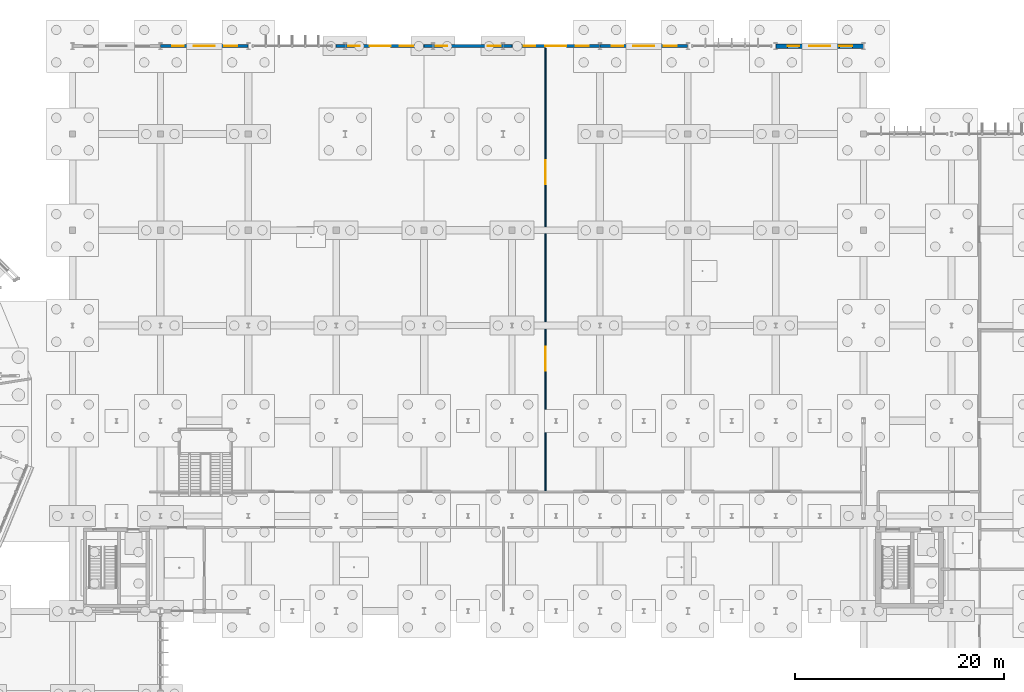
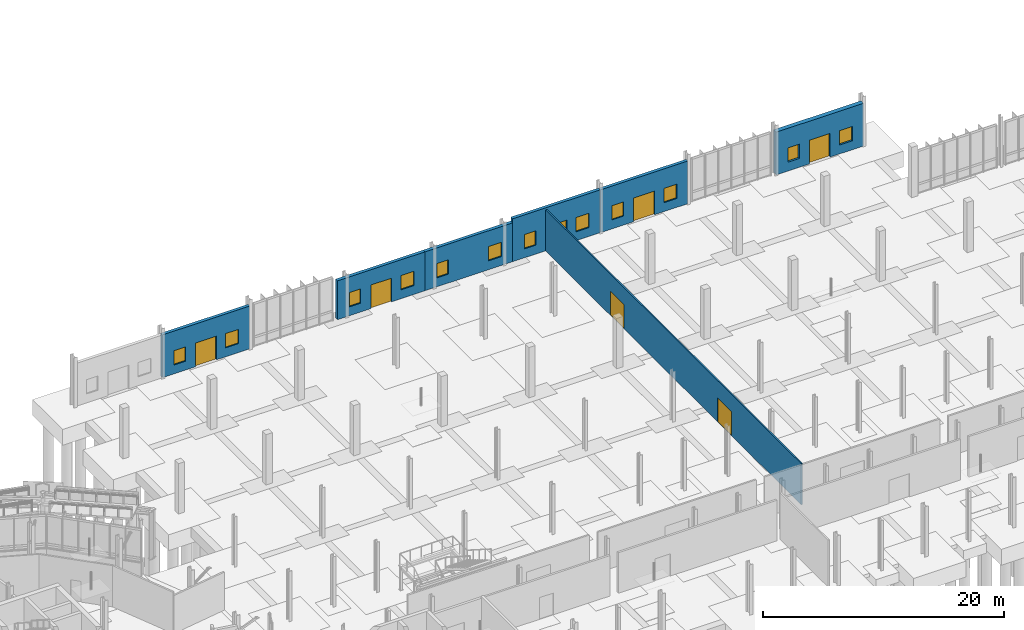
# One storey, part 86 of 119: 12 windows, 7 doors, 7 walls, 19 openings.
"""IFC4 building model written with IfcOpenShell, lengths in metres."""

from ifc_helpers import new_model, si_unit, derived_unit, direction, frame, frame_2d, origin, place, context, subcontext, project, spatial, rectangle, extrude, material, layer, layer_set, type_object, element, fill, save


model = new_model("IFC4")

# Units and contexts
model_context = context("Model", 3, precision=1e-05, world=origin(), true_north=direction((0.0, 1.0)))
body_context = subcontext(model_context, "Body", "Model", "MODEL_VIEW")
ifc_project = project(units=[si_unit("LENGTHUNIT", "METRE"), si_unit("AREAUNIT", "SQUARE_METRE"), si_unit("VOLUMEUNIT", "CUBIC_METRE"), si_unit("PLANEANGLEUNIT", "RADIAN"), si_unit("MASSUNIT", "GRAM", prefix="KILO"), derived_unit("THERMALTRANSMITTANCEUNIT", [(si_unit("MASSUNIT", "GRAM", prefix="KILO"), 1), (si_unit("TIMEUNIT", "SECOND"), -3), (si_unit("THERMODYNAMICTEMPERATUREUNIT", "KELVIN"), -1)])], contexts=[model_context])

# Site, building, storey
site_placement = place(None, origin())
site = spatial("IfcSite", under=ifc_project, at=site_placement, CompositionType="ELEMENT")
building_placement = place(site_placement, origin())
building = spatial("IfcBuilding", under=site, at=building_placement, Name="Makaiwela Harbour Ferry Terminal", CompositionType="ELEMENT")
storey_placement = place(building_placement, origin())
storey = spatial("IfcBuildingStorey", under=building, at=storey_placement, Name="L00", CompositionType="ELEMENT", Elevation=0.0)

# Wall, openings, door, windows
ifc_material_1 = material(Name="Precast concrete f'c 40 MPa (6000 psi) with Hawaiian basalt rainscreen", Category="masonry")
ifc_layer_1 = layer(ifc_material_1, 0.300048828125)
ifc_layer_set_1 = layer_set([ifc_layer_1], Name="Precast concrete f'c 40 MPa (6000 psi) with Hawaiian basalt rainscreen")
wall_type_1 = type_object("IfcWallType", Name="ENV-WL-EXT300", PredefinedType="SOLIDWALL", material=ifc_layer_set_1)
wall_1_placement = place(storey_placement, frame((71.4150390625, 103.39990234375, 0.0), z_axis=(0.0, 0.0, 1.0), x_axis=(1.0, 0.0, 0.0)))
wall_1 = element("IfcWall", 1, at=wall_1_placement, inside=storey, type_object=wall_type_1, Name="Exterior Wall EW-003", PredefinedType="SOLIDWALL", context=body_context, shape_type="SweptSolid", body=[
    extrude(rectangle(XDim=8.369873046875, YDim=0.300048828125, at=frame_2d((4.18505859375, 0.0))), origin(), (0.0, 0.0, 1.0), 4.33203125),
])
opening_1_placement = place(wall_1_placement, frame((3.18505859375, 0.0, 0.0)))
opening_1 = element("IfcOpeningElement", 2, at=opening_1_placement, cuts=wall_1, Name="Opening ED-02", PredefinedType="OPENING", context=body_context, shape_type="SweptSolid", body=[
    extrude(rectangle(XDim=2.0, YDim=2.39990234375, at=frame_2d((1.0, 1.199951171875))), frame((0.0, 0.159912109375, 0.0), z_axis=(0.0, -1.0, 0.0), x_axis=(1.0, 0.0, 0.0)), (0.0, 0.0, 1.0), 0.320068359375),
])
opening_2_placement = place(wall_1_placement, frame((1.1240234375, 0.0, 0.89990234375)))
opening_2 = element("IfcOpeningElement", 3, at=opening_2_placement, cuts=wall_1, Name="Opening W-07", PredefinedType="OPENING", context=body_context, shape_type="SweptSolid", body=[
    extrude(rectangle(XDim=1.10009765625, YDim=1.449951171875, at=frame_2d((0.550048828125, 0.72509765625))), frame((0.0, 0.159912109375, 0.0), z_axis=(0.0, -1.0, 0.0), x_axis=(1.0, 0.0, 0.0)), (0.0, 0.0, 1.0), 0.320068359375),
])
opening_3_placement = place(wall_1_placement, frame((6.071044921875, 0.0, 0.89990234375)))
opening_3 = element("IfcOpeningElement", 4, at=opening_3_placement, cuts=wall_1, Name="Opening W-08", PredefinedType="OPENING", context=body_context, shape_type="SweptSolid", body=[
    extrude(rectangle(XDim=1.25, YDim=1.449951171875, at=frame_2d((0.625, 0.72509765625))), frame((0.0, 0.159912109375, 0.0), z_axis=(0.0, -1.0, 0.0), x_axis=(1.0, 0.0, 0.0)), (0.0, 0.0, 1.0), 0.320068359375),
])
ifc_material_2 = material(Name="Marine anodised aluminium 6063-T6", Category="aluminium")
door_type_1 = type_object("IfcDoorType", Name="ENV-DR-EXT200", OperationType="NOTDEFINED", PredefinedType="DOOR", material=ifc_material_2)
door_1_placement = place(opening_1_placement, origin())
door_1 = element("IfcDoor", 5, at=door_1_placement, inside=storey, type_object=door_type_1, Name="Exterior Door ED-02", OperationType="DOUBLE_DOOR_SINGLE_SWING", OverallHeight=2.39990234375, OverallWidth=2.0, PredefinedType="DOOR", context=body_context, shape_type="SweptSolid", body=[
    extrude(rectangle(XDim=2.0, YDim=2.39990234375, at=frame_2d((1.0, 1.199951171875))), frame((0.0, 0.02490234375, 0.0), z_axis=(0.0, -1.0, 0.0), x_axis=(1.0, 0.0, 0.0)), (0.0, 0.0, 1.0), 0.050048828125),
])
fill(opening_1, door_1)
ifc_material_3 = material(Name="Laminated hurricane-impact low-E insulated glazing", Category="glass")
window_type_1 = type_object("IfcWindowType", Name="ENV-WIN-07", PartitioningType="SINGLE_PANEL", PredefinedType="WINDOW", material=ifc_material_3)
window_1_placement = place(opening_2_placement, origin())
window_1 = element("IfcWindow", 6, at=window_1_placement, inside=storey, type_object=window_type_1, Name="Exterior Window W-07", OverallHeight=1.449951171875, OverallWidth=1.10009765625, PartitioningType="SINGLE_PANEL", PredefinedType="WINDOW", context=body_context, shape_type="SweptSolid", body=[
    extrude(rectangle(XDim=1.10009765625, YDim=1.449951171875, at=frame_2d((0.550048828125, 0.72509765625))), frame((0.0, 0.030029296875, 0.0), z_axis=(0.0, -1.0, 0.0), x_axis=(1.0, 0.0, 0.0)), (0.0, 0.0, 1.0), 0.06005859375),
])
fill(opening_2, window_1)
window_type_2 = type_object("IfcWindowType", Name="ENV-WIN-08", PartitioningType="SINGLE_PANEL", PredefinedType="WINDOW", material=ifc_material_3)
window_2_placement = place(opening_3_placement, origin())
window_2 = element("IfcWindow", 7, at=window_2_placement, inside=storey, type_object=window_type_2, Name="Exterior Window W-08", OverallHeight=1.449951171875, OverallWidth=1.25, PartitioningType="SINGLE_PANEL", PredefinedType="WINDOW", context=body_context, shape_type="SweptSolid", body=[
    extrude(rectangle(XDim=1.25, YDim=1.449951171875, at=frame_2d((0.625, 0.72509765625))), frame((0.0, 0.030029296875, 0.0), z_axis=(0.0, -1.0, 0.0), x_axis=(1.0, 0.0, 0.0)), (0.0, 0.0, 1.0), 0.06005859375),
])
fill(opening_3, window_2)

wall_2_placement = place(storey_placement, frame((88.199951171875, 103.39990234375, 0.0), z_axis=(0.0, 0.0, 1.0), x_axis=(1.0, 0.0, 0.0)))
wall_2 = element("IfcWall", 8, at=wall_2_placement, inside=storey, type_object=wall_type_1, Name="Exterior Wall EW-007", PredefinedType="SOLIDWALL", context=body_context, shape_type="SweptSolid", body=[
    extrude(rectangle(XDim=8.400146484375, YDim=0.300048828125, at=frame_2d((4.2001953125, 0.0))), origin(), (0.0, 0.0, 1.0), 3.944091796875),
])
opening_4_placement = place(wall_2_placement, frame((3.199951171875, 0.0, 0.0)))
opening_4 = element("IfcOpeningElement", 9, at=opening_4_placement, cuts=wall_2, Name="Opening ED-02", PredefinedType="OPENING", context=body_context, shape_type="SweptSolid", body=[
    extrude(rectangle(XDim=2.0, YDim=2.39990234375, at=frame_2d((1.0, 1.199951171875))), frame((0.0, 0.159912109375, 0.0), z_axis=(0.0, -1.0, 0.0), x_axis=(1.0, 0.0, 0.0)), (0.0, 0.0, 1.0), 0.320068359375),
])
opening_5_placement = place(wall_2_placement, frame((1.1298828125, 0.0, 0.89990234375)))
opening_5 = element("IfcOpeningElement", 10, at=opening_5_placement, cuts=wall_2, Name="Opening W-07", PredefinedType="OPENING", context=body_context, shape_type="SweptSolid", body=[
    extrude(rectangle(XDim=1.10009765625, YDim=1.449951171875, at=frame_2d((0.550048828125, 0.72509765625))), frame((0.0, 0.159912109375, 0.0), z_axis=(0.0, -1.0, 0.0), x_axis=(1.0, 0.0, 0.0)), (0.0, 0.0, 1.0), 0.320068359375),
])
opening_6_placement = place(wall_2_placement, frame((6.094970703125, 0.0, 0.89990234375)))
opening_6 = element("IfcOpeningElement", 11, at=opening_6_placement, cuts=wall_2, Name="Opening W-08", PredefinedType="OPENING", context=body_context, shape_type="SweptSolid", body=[
    extrude(rectangle(XDim=1.25, YDim=1.449951171875, at=frame_2d((0.625, 0.72509765625))), frame((0.0, 0.159912109375, 0.0), z_axis=(0.0, -1.0, 0.0), x_axis=(1.0, 0.0, 0.0)), (0.0, 0.0, 1.0), 0.320068359375),
])
door_2_placement = place(opening_4_placement, origin())
door_2 = element("IfcDoor", 12, at=door_2_placement, inside=storey, type_object=door_type_1, Name="Exterior Door ED-02", OperationType="DOUBLE_DOOR_SINGLE_SWING", OverallHeight=2.39990234375, OverallWidth=2.0, PredefinedType="DOOR", context=body_context, shape_type="SweptSolid", body=[
    extrude(rectangle(XDim=2.0, YDim=2.39990234375, at=frame_2d((1.0, 1.199951171875))), frame((0.0, 0.02490234375, 0.0), z_axis=(0.0, -1.0, 0.0), x_axis=(1.0, 0.0, 0.0)), (0.0, 0.0, 1.0), 0.050048828125),
])
fill(opening_4, door_2)
window_3_placement = place(opening_5_placement, origin())
window_3 = element("IfcWindow", 13, at=window_3_placement, inside=storey, type_object=window_type_1, Name="Exterior Window W-07", OverallHeight=1.449951171875, OverallWidth=1.10009765625, PartitioningType="SINGLE_PANEL", PredefinedType="WINDOW", context=body_context, shape_type="SweptSolid", body=[
    extrude(rectangle(XDim=1.10009765625, YDim=1.449951171875, at=frame_2d((0.550048828125, 0.72509765625))), frame((0.0, 0.030029296875, 0.0), z_axis=(0.0, -1.0, 0.0), x_axis=(1.0, 0.0, 0.0)), (0.0, 0.0, 1.0), 0.06005859375),
])
fill(opening_5, window_3)
window_4_placement = place(opening_6_placement, origin())
window_4 = element("IfcWindow", 14, at=window_4_placement, inside=storey, type_object=window_type_2, Name="Exterior Window W-08", OverallHeight=1.449951171875, OverallWidth=1.25, PartitioningType="SINGLE_PANEL", PredefinedType="WINDOW", context=body_context, shape_type="SweptSolid", body=[
    extrude(rectangle(XDim=1.25, YDim=1.449951171875, at=frame_2d((0.625, 0.72509765625))), frame((0.0, 0.030029296875, 0.0), z_axis=(0.0, -1.0, 0.0), x_axis=(1.0, 0.0, 0.0)), (0.0, 0.0, 1.0), 0.06005859375),
])
fill(opening_6, window_4)

# Wall, openings, windows
wall_3_placement = place(storey_placement, frame((96.60009765625, 103.39990234375, 0.0), z_axis=(0.0, 0.0, 1.0), x_axis=(1.0, 0.0, 0.0)))
wall_3 = element("IfcWall", 15, at=wall_3_placement, inside=storey, type_object=wall_type_1, Name="Exterior Wall EW-009", PredefinedType="SOLIDWALL", context=body_context, shape_type="SweptSolid", body=[
    extrude(rectangle(XDim=8.39990234375, YDim=0.300048828125, at=frame_2d((4.199951171875, 0.0))), origin(), (0.0, 0.0, 1.0), 3.944091796875),
])
opening_7_placement = place(wall_3_placement, frame((1.1298828125, 0.0, 0.89990234375)))
opening_7 = element("IfcOpeningElement", 16, at=opening_7_placement, cuts=wall_3, Name="Opening W-07", PredefinedType="OPENING", context=body_context, shape_type="SweptSolid", body=[
    extrude(rectangle(XDim=1.10009765625, YDim=1.449951171875, at=frame_2d((0.550048828125, 0.72509765625))), frame((0.0, 0.159912109375, 0.0), z_axis=(0.0, -1.0, 0.0), x_axis=(1.0, 0.0, 0.0)), (0.0, 0.0, 1.0), 0.320068359375),
])
opening_8_placement = place(wall_3_placement, frame((6.094970703125, 0.0, 0.89990234375)))
opening_8 = element("IfcOpeningElement", 17, at=opening_8_placement, cuts=wall_3, Name="Opening W-08", PredefinedType="OPENING", context=body_context, shape_type="SweptSolid", body=[
    extrude(rectangle(XDim=1.25, YDim=1.449951171875, at=frame_2d((0.625, 0.72509765625))), frame((0.0, 0.159912109375, 0.0), z_axis=(0.0, -1.0, 0.0), x_axis=(1.0, 0.0, 0.0)), (0.0, 0.0, 1.0), 0.320068359375),
])
window_5_placement = place(opening_7_placement, origin())
window_5 = element("IfcWindow", 18, at=window_5_placement, inside=storey, type_object=window_type_1, Name="Exterior Window W-07", OverallHeight=1.449951171875, OverallWidth=1.10009765625, PartitioningType="SINGLE_PANEL", PredefinedType="WINDOW", context=body_context, shape_type="SweptSolid", body=[
    extrude(rectangle(XDim=1.10009765625, YDim=1.449951171875, at=frame_2d((0.550048828125, 0.72509765625))), frame((0.0, 0.030029296875, 0.0), z_axis=(0.0, -1.0, 0.0), x_axis=(1.0, 0.0, 0.0)), (0.0, 0.0, 1.0), 0.06005859375),
])
fill(opening_7, window_5)
window_6_placement = place(opening_8_placement, origin())
window_6 = element("IfcWindow", 19, at=window_6_placement, inside=storey, type_object=window_type_2, Name="Exterior Window W-08", OverallHeight=1.449951171875, OverallWidth=1.25, PartitioningType="SINGLE_PANEL", PredefinedType="WINDOW", context=body_context, shape_type="SweptSolid", body=[
    extrude(rectangle(XDim=1.25, YDim=1.449951171875, at=frame_2d((0.625, 0.72509765625))), frame((0.0, 0.030029296875, 0.0), z_axis=(0.0, -1.0, 0.0), x_axis=(1.0, 0.0, 0.0)), (0.0, 0.0, 1.0), 0.06005859375),
])
fill(opening_8, window_6)

# Wall, openings, door, windows
wall_4_placement = place(storey_placement, frame((105.0, 103.39990234375, 0.0), z_axis=(0.0, 0.0, 1.0), x_axis=(1.0, 0.0, 0.0)))
wall_4 = element("IfcWall", 20, at=wall_4_placement, inside=storey, type_object=wall_type_1, Name="Exterior Wall EW-011", PredefinedType="SOLIDWALL", context=body_context, shape_type="SweptSolid", body=[
    extrude(rectangle(XDim=8.385009765625, YDim=0.300048828125, at=frame_2d((4.1923828125, 0.0))), origin(), (0.0, 0.0, 1.0), 4.35009765625),
])
opening_9_placement = place(wall_4_placement, frame((3.1923828125, 0.0, 0.0)))
opening_9 = element("IfcOpeningElement", 21, at=opening_9_placement, cuts=wall_4, Name="Opening ED-02", PredefinedType="OPENING", context=body_context, shape_type="SweptSolid", body=[
    extrude(rectangle(XDim=2.0, YDim=2.39990234375, at=frame_2d((1.0, 1.199951171875))), frame((0.0, 0.159912109375, 0.0), z_axis=(0.0, -1.0, 0.0), x_axis=(1.0, 0.0, 0.0)), (0.0, 0.0, 1.0), 0.320068359375),
])
opening_10_placement = place(wall_4_placement, frame((1.126953125, 0.0, 0.89990234375)))
opening_10 = element("IfcOpeningElement", 22, at=opening_10_placement, cuts=wall_4, Name="Opening W-07", PredefinedType="OPENING", context=body_context, shape_type="SweptSolid", body=[
    extrude(rectangle(XDim=1.10009765625, YDim=1.449951171875, at=frame_2d((0.550048828125, 0.72509765625))), frame((0.0, 0.159912109375, 0.0), z_axis=(0.0, -1.0, 0.0), x_axis=(1.0, 0.0, 0.0)), (0.0, 0.0, 1.0), 0.320068359375),
])
opening_11_placement = place(wall_4_placement, frame((6.0830078125, 0.0, 0.89990234375)))
opening_11 = element("IfcOpeningElement", 23, at=opening_11_placement, cuts=wall_4, Name="Opening W-08", PredefinedType="OPENING", context=body_context, shape_type="SweptSolid", body=[
    extrude(rectangle(XDim=1.25, YDim=1.449951171875, at=frame_2d((0.625, 0.72509765625))), frame((0.0, 0.159912109375, 0.0), z_axis=(0.0, -1.0, 0.0), x_axis=(1.0, 0.0, 0.0)), (0.0, 0.0, 1.0), 0.320068359375),
])
door_3_placement = place(opening_9_placement, origin())
door_3 = element("IfcDoor", 24, at=door_3_placement, inside=storey, type_object=door_type_1, Name="Exterior Door ED-02", OperationType="DOUBLE_DOOR_SINGLE_SWING", OverallHeight=2.39990234375, OverallWidth=2.0, PredefinedType="DOOR", context=body_context, shape_type="SweptSolid", body=[
    extrude(rectangle(XDim=2.0, YDim=2.39990234375, at=frame_2d((1.0, 1.199951171875))), frame((0.0, 0.02490234375, 0.0), z_axis=(0.0, -1.0, 0.0), x_axis=(1.0, 0.0, 0.0)), (0.0, 0.0, 1.0), 0.050048828125),
])
fill(opening_9, door_3)
window_7_placement = place(opening_10_placement, origin())
window_7 = element("IfcWindow", 25, at=window_7_placement, inside=storey, type_object=window_type_1, Name="Exterior Window W-07", OverallHeight=1.449951171875, OverallWidth=1.10009765625, PartitioningType="SINGLE_PANEL", PredefinedType="WINDOW", context=body_context, shape_type="SweptSolid", body=[
    extrude(rectangle(XDim=1.10009765625, YDim=1.449951171875, at=frame_2d((0.550048828125, 0.72509765625))), frame((0.0, 0.030029296875, 0.0), z_axis=(0.0, -1.0, 0.0), x_axis=(1.0, 0.0, 0.0)), (0.0, 0.0, 1.0), 0.06005859375),
])
fill(opening_10, window_7)
window_8_placement = place(opening_11_placement, origin())
window_8 = element("IfcWindow", 26, at=window_8_placement, inside=storey, type_object=window_type_2, Name="Exterior Window W-08", OverallHeight=1.449951171875, OverallWidth=1.25, PartitioningType="SINGLE_PANEL", PredefinedType="WINDOW", context=body_context, shape_type="SweptSolid", body=[
    extrude(rectangle(XDim=1.25, YDim=1.449951171875, at=frame_2d((0.625, 0.72509765625))), frame((0.0, 0.030029296875, 0.0), z_axis=(0.0, -1.0, 0.0), x_axis=(1.0, 0.0, 0.0)), (0.0, 0.0, 1.0), 0.06005859375),
])
fill(opening_11, window_8)

wall_5_placement = place(storey_placement, frame((113.4150390625, 103.39990234375, 0.0), z_axis=(0.0, 0.0, 1.0), x_axis=(1.0, 0.0, 0.0)))
wall_5 = element("IfcWall", 27, at=wall_5_placement, inside=storey, type_object=wall_type_1, Name="Exterior Wall EW-013", PredefinedType="SOLIDWALL", context=body_context, shape_type="SweptSolid", body=[
    extrude(rectangle(XDim=8.369873046875, YDim=0.300048828125, at=frame_2d((4.18505859375, 0.0))), origin(), (0.0, 0.0, 1.0), 4.33203125),
])
opening_12_placement = place(wall_5_placement, frame((3.18505859375, 0.0, 0.0)))
opening_12 = element("IfcOpeningElement", 28, at=opening_12_placement, cuts=wall_5, Name="Opening ED-02", PredefinedType="OPENING", context=body_context, shape_type="SweptSolid", body=[
    extrude(rectangle(XDim=2.0, YDim=2.39990234375, at=frame_2d((1.0, 1.199951171875))), frame((0.0, 0.159912109375, 0.0), z_axis=(0.0, -1.0, 0.0), x_axis=(1.0, 0.0, 0.0)), (0.0, 0.0, 1.0), 0.320068359375),
])
opening_13_placement = place(wall_5_placement, frame((1.1240234375, 0.0, 0.89990234375)))
opening_13 = element("IfcOpeningElement", 29, at=opening_13_placement, cuts=wall_5, Name="Opening W-07", PredefinedType="OPENING", context=body_context, shape_type="SweptSolid", body=[
    extrude(rectangle(XDim=1.10009765625, YDim=1.449951171875, at=frame_2d((0.550048828125, 0.72509765625))), frame((0.0, 0.159912109375, 0.0), z_axis=(0.0, -1.0, 0.0), x_axis=(1.0, 0.0, 0.0)), (0.0, 0.0, 1.0), 0.320068359375),
])
opening_14_placement = place(wall_5_placement, frame((6.071044921875, 0.0, 0.89990234375)))
opening_14 = element("IfcOpeningElement", 30, at=opening_14_placement, cuts=wall_5, Name="Opening W-08", PredefinedType="OPENING", context=body_context, shape_type="SweptSolid", body=[
    extrude(rectangle(XDim=1.25, YDim=1.449951171875, at=frame_2d((0.625, 0.72509765625))), frame((0.0, 0.159912109375, 0.0), z_axis=(0.0, -1.0, 0.0), x_axis=(1.0, 0.0, 0.0)), (0.0, 0.0, 1.0), 0.320068359375),
])
door_4_placement = place(opening_12_placement, origin())
door_4 = element("IfcDoor", 31, at=door_4_placement, inside=storey, type_object=door_type_1, Name="Exterior Door ED-02", OperationType="DOUBLE_DOOR_SINGLE_SWING", OverallHeight=2.39990234375, OverallWidth=2.0, PredefinedType="DOOR", context=body_context, shape_type="SweptSolid", body=[
    extrude(rectangle(XDim=2.0, YDim=2.39990234375, at=frame_2d((1.0, 1.199951171875))), frame((0.0, 0.02490234375, 0.0), z_axis=(0.0, -1.0, 0.0), x_axis=(1.0, 0.0, 0.0)), (0.0, 0.0, 1.0), 0.050048828125),
])
fill(opening_12, door_4)
window_9_placement = place(opening_13_placement, origin())
window_9 = element("IfcWindow", 32, at=window_9_placement, inside=storey, type_object=window_type_1, Name="Exterior Window W-07", OverallHeight=1.449951171875, OverallWidth=1.10009765625, PartitioningType="SINGLE_PANEL", PredefinedType="WINDOW", context=body_context, shape_type="SweptSolid", body=[
    extrude(rectangle(XDim=1.10009765625, YDim=1.449951171875, at=frame_2d((0.550048828125, 0.72509765625))), frame((0.0, 0.030029296875, 0.0), z_axis=(0.0, -1.0, 0.0), x_axis=(1.0, 0.0, 0.0)), (0.0, 0.0, 1.0), 0.06005859375),
])
fill(opening_13, window_9)
window_10_placement = place(opening_14_placement, origin())
window_10 = element("IfcWindow", 33, at=window_10_placement, inside=storey, type_object=window_type_2, Name="Exterior Window W-08", OverallHeight=1.449951171875, OverallWidth=1.25, PartitioningType="SINGLE_PANEL", PredefinedType="WINDOW", context=body_context, shape_type="SweptSolid", body=[
    extrude(rectangle(XDim=1.25, YDim=1.449951171875, at=frame_2d((0.625, 0.72509765625))), frame((0.0, 0.030029296875, 0.0), z_axis=(0.0, -1.0, 0.0), x_axis=(1.0, 0.0, 0.0)), (0.0, 0.0, 1.0), 0.06005859375),
])
fill(opening_14, window_10)

ifc_material_4 = material(Name="Precast concrete f'c 40 MPa (6000 psi)", Category="concrete")
ifc_layer_2 = layer(ifc_material_4, 0.419921875)
ifc_layer_set_2 = layer_set([ifc_layer_2], Name="Precast concrete f'c 40 MPa (6000 psi)")
wall_type_2 = type_object("IfcWallType", Name="ENV-WL-EXT420", PredefinedType="SOLIDWALL", material=ifc_layer_set_2)
wall_6_placement = place(storey_placement, frame((130.215087890625, 103.39990234375, 0.0), z_axis=(0.0, 0.0, 1.0), x_axis=(1.0, 0.0, 0.0)))
wall_6 = element("IfcWall", 34, at=wall_6_placement, inside=storey, type_object=wall_type_2, Name="Exterior Wall EW-016", PredefinedType="SOLIDWALL", context=body_context, shape_type="SweptSolid", body=[
    extrude(rectangle(XDim=8.369873046875, YDim=0.419921875, at=frame_2d((4.18505859375, 0.0))), origin(), (0.0, 0.0, 1.0), 4.33203125),
])
opening_15_placement = place(wall_6_placement, frame((3.18505859375, 0.0, 0.0)))
opening_15 = element("IfcOpeningElement", 35, at=opening_15_placement, cuts=wall_6, Name="Opening ED-02", PredefinedType="OPENING", context=body_context, shape_type="SweptSolid", body=[
    extrude(rectangle(XDim=2.0, YDim=2.39990234375, at=frame_2d((1.0, 1.199951171875))), frame((0.0, 0.219970703125, 0.0), z_axis=(0.0, -1.0, 0.0), x_axis=(1.0, 0.0, 0.0)), (0.0, 0.0, 1.0), 0.43994140625),
])
opening_16_placement = place(wall_6_placement, frame((1.1240234375, 0.0, 0.89990234375)))
opening_16 = element("IfcOpeningElement", 36, at=opening_16_placement, cuts=wall_6, Name="Opening W-07", PredefinedType="OPENING", context=body_context, shape_type="SweptSolid", body=[
    extrude(rectangle(XDim=1.10009765625, YDim=1.449951171875, at=frame_2d((0.550048828125, 0.72509765625))), frame((0.0, 0.219970703125, 0.0), z_axis=(0.0, -1.0, 0.0), x_axis=(1.0, 0.0, 0.0)), (0.0, 0.0, 1.0), 0.43994140625),
])
opening_17_placement = place(wall_6_placement, frame((6.071044921875, 0.0, 0.89990234375)))
opening_17 = element("IfcOpeningElement", 37, at=opening_17_placement, cuts=wall_6, Name="Opening W-08", PredefinedType="OPENING", context=body_context, shape_type="SweptSolid", body=[
    extrude(rectangle(XDim=1.25, YDim=1.449951171875, at=frame_2d((0.625, 0.72509765625))), frame((0.0, 0.219970703125, 0.0), z_axis=(0.0, -1.0, 0.0), x_axis=(1.0, 0.0, 0.0)), (0.0, 0.0, 1.0), 0.43994140625),
])
door_5_placement = place(opening_15_placement, origin())
door_5 = element("IfcDoor", 38, at=door_5_placement, inside=storey, type_object=door_type_1, Name="Exterior Door ED-02", OperationType="DOUBLE_DOOR_SINGLE_SWING", OverallHeight=2.39990234375, OverallWidth=2.0, PredefinedType="DOOR", context=body_context, shape_type="SweptSolid", body=[
    extrude(rectangle(XDim=2.0, YDim=2.39990234375, at=frame_2d((1.0, 1.199951171875))), frame((0.0, 0.02490234375, 0.0), z_axis=(0.0, -1.0, 0.0), x_axis=(1.0, 0.0, 0.0)), (0.0, 0.0, 1.0), 0.050048828125),
])
fill(opening_15, door_5)
window_11_placement = place(opening_16_placement, origin())
window_11 = element("IfcWindow", 39, at=window_11_placement, inside=storey, type_object=window_type_1, Name="Exterior Window W-07", OverallHeight=1.449951171875, OverallWidth=1.10009765625, PartitioningType="SINGLE_PANEL", PredefinedType="WINDOW", context=body_context, shape_type="SweptSolid", body=[
    extrude(rectangle(XDim=1.10009765625, YDim=1.449951171875, at=frame_2d((0.550048828125, 0.72509765625))), frame((0.0, 0.030029296875, 0.0), z_axis=(0.0, -1.0, 0.0), x_axis=(1.0, 0.0, 0.0)), (0.0, 0.0, 1.0), 0.06005859375),
])
fill(opening_16, window_11)
window_12_placement = place(opening_17_placement, origin())
window_12 = element("IfcWindow", 40, at=window_12_placement, inside=storey, type_object=window_type_2, Name="Exterior Window W-08", OverallHeight=1.449951171875, OverallWidth=1.25, PartitioningType="SINGLE_PANEL", PredefinedType="WINDOW", context=body_context, shape_type="SweptSolid", body=[
    extrude(rectangle(XDim=1.25, YDim=1.449951171875, at=frame_2d((0.625, 0.72509765625))), frame((0.0, 0.030029296875, 0.0), z_axis=(0.0, -1.0, 0.0), x_axis=(1.0, 0.0, 0.0)), (0.0, 0.0, 1.0), 0.06005859375),
])
fill(opening_17, window_12)

# Wall, openings, doors
ifc_material_5 = material(Name="Moisture-resistant acoustic gypsum partition", Category="gypsum")
ifc_layer_3 = layer(ifc_material_5, 0.1201171875)
ifc_layer_set_3 = layer_set([ifc_layer_3], Name="Moisture-resistant acoustic gypsum partition")
wall_type_3 = type_object("IfcWallType", Name="INT-WL-PRT120", PredefinedType="PARTITIONING", material=ifc_layer_set_3)
wall_7_placement = place(storey_placement, frame((108.199951171875, 60.800048828125, 0.0), z_axis=(0.0, 0.0, 1.0), x_axis=(0.0, 1.0, 0.0)))
wall_7 = element("IfcWall", 41, at=wall_7_placement, inside=storey, type_object=wall_type_3, Name="Interior Wall IW-0480", PredefinedType="PARTITIONING", context=body_context, shape_type="SweptSolid", body=[
    extrude(rectangle(XDim=42.419921875, YDim=0.1201171875, at=frame_2d((21.2099609375, 0.0))), origin(), (0.0, 0.0, 1.0), 4.18310546875),
])
opening_18_placement = place(wall_7_placement, frame((11.575927734375, 0.0, 0.0)))
opening_18 = element("IfcOpeningElement", 42, at=opening_18_placement, cuts=wall_7, Name="Opening D-23", PredefinedType="OPENING", context=body_context, shape_type="SweptSolid", body=[
    extrude(rectangle(XDim=2.300048828125, YDim=2.449951171875, at=frame_2d((1.14990234375, 1.22509765625))), frame((0.0, 0.070068359375, 0.0), z_axis=(0.0, -1.0, 0.0), x_axis=(1.0, 0.0, 0.0)), (0.0, 0.0, 1.0), 0.14013671875),
])
opening_19_placement = place(wall_7_placement, frame((29.392333984375, 0.0, 0.0)))
opening_19 = element("IfcOpeningElement", 43, at=opening_19_placement, cuts=wall_7, Name="Opening D-23", PredefinedType="OPENING", context=body_context, shape_type="SweptSolid", body=[
    extrude(rectangle(XDim=2.300048828125, YDim=2.449951171875, at=frame_2d((1.14990234375, 1.22509765625))), frame((0.0, 0.070068359375, 0.0), z_axis=(0.0, -1.0, 0.0), x_axis=(1.0, 0.0, 0.0)), (0.0, 0.0, 1.0), 0.14013671875),
])
ifc_material_6 = material(Name="Solid-core marine hardwood and painted steel frame", Category="steel")
door_type_2 = type_object("IfcDoorType", Name="INT-DR-CON230", OperationType="NOTDEFINED", PredefinedType="DOOR", material=ifc_material_6)
door_6_placement = place(opening_18_placement, origin())
door_6 = element("IfcDoor", 44, at=door_6_placement, inside=storey, type_object=door_type_2, Name="Door D-23", OperationType="DOUBLE_DOOR_SINGLE_SWING", OverallHeight=2.449951171875, OverallWidth=2.300048828125, PredefinedType="DOOR", context=body_context, shape_type="SweptSolid", body=[
    extrude(rectangle(XDim=2.300048828125, YDim=2.449951171875, at=frame_2d((1.14990234375, 1.22509765625))), frame((0.0, 0.02490234375, 0.0), z_axis=(0.0, -1.0, 0.0), x_axis=(1.0, 0.0, 0.0)), (0.0, 0.0, 1.0), 0.050048828125),
])
fill(opening_18, door_6)
door_7_placement = place(opening_19_placement, origin())
door_7 = element("IfcDoor", 45, at=door_7_placement, inside=storey, type_object=door_type_2, Name="Door D-23", OperationType="DOUBLE_DOOR_SINGLE_SWING", OverallHeight=2.449951171875, OverallWidth=2.300048828125, PredefinedType="DOOR", context=body_context, shape_type="SweptSolid", body=[
    extrude(rectangle(XDim=2.300048828125, YDim=2.449951171875, at=frame_2d((1.14990234375, 1.22509765625))), frame((0.0, 0.02490234375, 0.0), z_axis=(0.0, -1.0, 0.0), x_axis=(1.0, 0.0, 0.0)), (0.0, 0.0, 1.0), 0.050048828125),
])
fill(opening_19, door_7)

save(model, "model.ifc")
